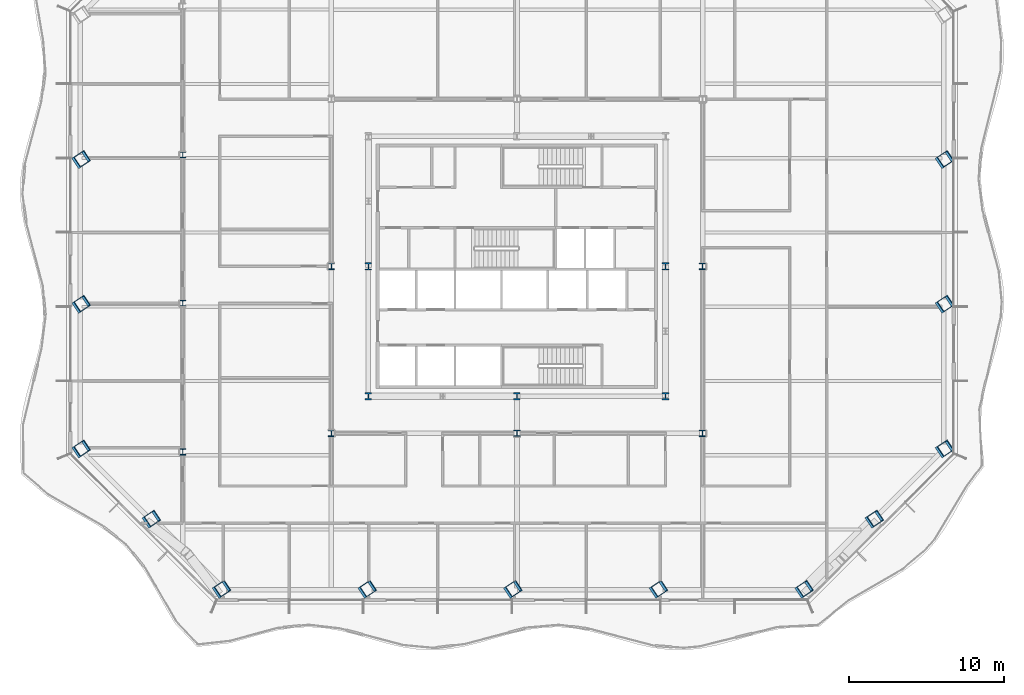
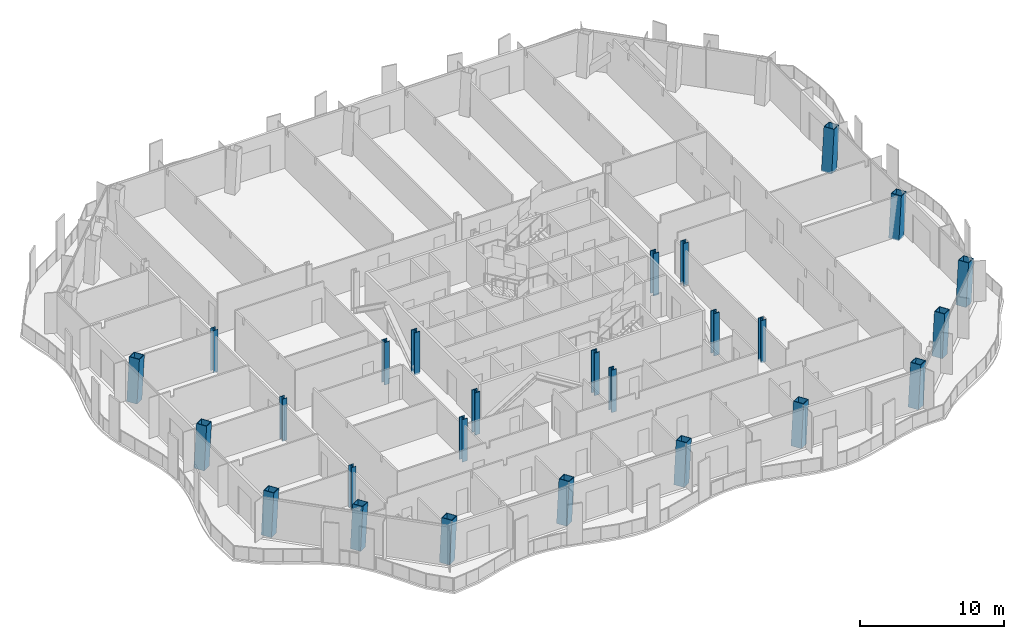
# One storey, part 1 of 22: 26 columns.
"""IFC4 building model written with IfcOpenShell, lengths in metres."""

from ifc_helpers import new_model, si_unit, direction, frame, origin, origin_2d, place, context, subcontext, project, spatial, hollow_rectangle, i_section, extrude, clip, halfspace, material, material_profile, profile_set, type_object, element, save


model = new_model("IFC4")

# Units and contexts
model_context = context("Model", 3, precision=1e-05, world=origin(), true_north=direction((0.0, 1.0)))
body_context = subcontext(model_context, "Body", "Model", "MODEL_VIEW")
ifc_project = project(units=[si_unit("LENGTHUNIT", "METRE"), si_unit("AREAUNIT", "SQUARE_METRE"), si_unit("VOLUMEUNIT", "CUBIC_METRE"), si_unit("PLANEANGLEUNIT", "RADIAN"), si_unit("MASSUNIT", "GRAM", prefix="KILO")], contexts=[model_context])

# Site, building, storey
site_placement = place(None, origin())
site = spatial("IfcSite", under=ifc_project, at=site_placement, CompositionType="ELEMENT")
building_placement = place(site_placement, origin())
building = spatial("IfcBuilding", under=site, at=building_placement, Name="Cairn Pilgrim Tower", CompositionType="ELEMENT")
storey_placement = place(building_placement, frame((0.0, 0.0, 112.199951171875)))
storey = spatial("IfcBuildingStorey", under=building, at=storey_placement, Name="L27", CompositionType="ELEMENT", Elevation=112.199951171875)

# Columns
ifc_material_1 = material(Name="Structural steel S460M", Category="steel")
ifc_material_profile_1 = material_profile(ifc_material_1, hollow_rectangle(XDim=0.800048828125, YDim=0.800048828125, WallThickness=0.050048828125, at=origin_2d()), Name="BOX 800x800x50")
ifc_profile_set_1 = profile_set([ifc_material_profile_1], Name="Structural steel S460M")
column_type_1 = type_object("IfcColumnType", Name="BOX 800x800x50", PredefinedType="COLUMN", material=ifc_profile_set_1)
for number, where, z_axis, x_axis, name in (
    (1, (-11.94775390625, -18.513671875, -0.14990234375), (0.088541637636, 0.059005280222, 0.994323264995), (-0.554553931674, 0.832147785472, 0.0), "PC1-S1"),
    (2, (-2.5341796875, -18.513671875, -0.14990234375), (0.088541637636, 0.059005280222, 0.994323264995), (-0.554553931674, 0.832147785472, 0.0), "PC1-S2"),
    (3, (6.87939453125, -18.513671875, -0.14990234375), (0.088541637636, 0.059005280222, 0.994323264995), (-0.554553931674, 0.832147785472, 0.0), "PC1-S3"),
    (4, (16.293212890625, -18.513671875, -0.14990234375), (0.088474731092, 0.059005632398, 0.994329199663), (-0.554846520795, 0.831952726038, 0.0), "PC1-S4"),
    (5, (25.706787109375, -18.513671875, -0.14990234375), (0.088474731092, 0.059005632398, 0.994329199663), (-0.554846520795, 0.831952726038, 0.0), "PC1-SE1"),
    (6, (30.2431640625, -13.977294921875, -0.14990234375), (0.088541637636, 0.059005280222, 0.994323264995), (-0.554553931674, 0.832147785472, 0.0), "PC1-SE2"),
    (7, (34.779541015625, -9.44091796875, -0.14990234375), (0.088541637636, 0.059005280222, 0.994323264995), (-0.554553931674, 0.832147785472, 0.0), "PC1-E1"),
    (8, (34.779541015625, -0.08935546875, -0.14990234375), (0.088541637636, 0.059005280222, 0.994323264995), (-0.554553931674, 0.832147785472, 0.0), "PC1-E2"),
    (9, (34.779541015625, 9.26220703125, -0.14990234375), (0.088541989743, 0.058938079997, 0.994327219168), (-0.554114829484, 0.832440241547, 0.0), "PC1-E3"),
    (10, (-21.0205078125, 9.26220703125, -0.14990234375), (0.088541989743, 0.058938079997, 0.994327219168), (-0.554114829484, 0.832440241547, 0.0), "PC1-W2"),
    (11, (-21.0205078125, -0.08935546875, -0.14990234375), (0.088541637636, 0.059005280222, 0.994323264995), (-0.554553931674, 0.832147785472, 0.0), "PC1-W3"),
    (12, (-21.0205078125, -9.44091796875, -0.14990234375), (0.088541637636, 0.059005280222, 0.994323264995), (-0.554553931674, 0.832147785472, 0.0), "PC1-SW1"),
    (13, (-16.484130859375, -13.977294921875, -0.14990234375), (0.088541637636, 0.059005280222, 0.994323264995), (-0.554553931674, 0.832147785472, 0.0), "PC1-SW2"),
):
    element("IfcColumn", number, at=place(storey_placement, frame(where, z_axis=z_axis, x_axis=x_axis)), inside=storey, type_object=column_type_1, Name=name, PredefinedType="COLUMN", context=body_context, shape_type="Clipping", body=[
        clip(clip(extrude(hollow_rectangle(XDim=0.800048828125, YDim=0.800048828125, WallThickness=0.050048828125, at=origin_2d()), origin(), (0.0, 0.0, 1.0), 3.620361328125), halfspace(frame((0.0, 0.0, 0.023681640625), z_axis=(0.0, 0.0, 1.0), x_axis=(1.0, 0.0, 0.0)), True)), halfspace(frame((0.0, 0.0, 3.59912109375), z_axis=(0.0, 0.0, 1.0), x_axis=(1.0, 0.0, 0.0)), False)),
    ])
ifc_material_2 = material(Name="Structural steel S355J2", Category="steel")
ifc_material_profile_2 = material_profile(ifc_material_2, i_section(OverallWidth=0.39892578125, OverallDepth=0.39306640625, WebThickness=0.022705078125, FlangeThickness=0.03662109375, FilletRadius=0.014892578125, at=origin_2d()), Name="HD 400x287")
ifc_profile_set_2 = profile_set([ifc_material_profile_2], Name="Structural steel S355J2")
column_type_2 = type_object("IfcColumnType", Name="HD 400x287", PredefinedType="COLUMN", material=ifc_profile_set_2)
for number, where, z_axis, x_axis, name in (
    (14, (-14.39990234375, -9.60009765625, -0.14990234375), (0.0, 0.0, 1.0), (1.0, 0.0, 0.0), "WC-WW-2"),
    (15, (-14.39990234375, 0.0, -0.14990234375), (0.0, 0.0, 1.0), (1.0, 0.0, 0.0), "WC-WW+0"),
    (16, (-14.39990234375, 9.60009765625, -0.14990234375), (0.0, 0.0, 1.0), (1.0, 0.0, 0.0), "WC-WW+2"),
):
    element("IfcColumn", number, at=place(storey_placement, frame(where, z_axis=z_axis, x_axis=x_axis)), inside=storey, type_object=column_type_2, Name=name, PredefinedType="COLUMN", context=body_context, shape_type="SweptSolid", body=[
        extrude(i_section(OverallWidth=0.39892578125, OverallDepth=0.39306640625, WebThickness=0.022705078125, FlangeThickness=0.03662109375, FilletRadius=0.014892578125, at=origin_2d()), origin(), (0.0, 0.0, 1.0), 3.599853515625),
    ])
ifc_material_profile_3 = material_profile(ifc_material_1, i_section(OverallWidth=0.408935546875, OverallDepth=0.425048828125, WebThickness=0.03271484375, FlangeThickness=0.052490234375, FilletRadius=0.014892578125, at=origin_2d()), Name="HD 400x421")
ifc_profile_set_3 = profile_set([ifc_material_profile_3], Name="Structural steel S460M")
column_type_3 = type_object("IfcColumnType", Name="HD 400x421", PredefinedType="COLUMN", material=ifc_profile_set_3)
for number, where, z_axis, x_axis, name in (
    (17, (-4.800048828125, -8.39990234375, -0.14990234375), (0.0, 0.0, 1.0), (1.0, 0.0, 0.0), "IC-1"),
    (18, (7.199951171875, -8.39990234375, -0.14990234375), (0.0, 0.0, 1.0), (1.0, 0.0, 0.0), "IC-2"),
    (19, (19.199951171875, -8.39990234375, -0.14990234375), (0.0, 0.0, 1.0), (1.0, 0.0, 0.0), "IC-3"),
    (20, (-4.800048828125, 2.39990234375, -0.14990234375), (0.0, 0.0, 1.0), (1.0, 0.0, 0.0), "IC-4"),
    (21, (19.199951171875, 2.39990234375, -0.14990234375), (0.0, 0.0, 1.0), (1.0, 0.0, 0.0), "IC-5"),
):
    element("IfcColumn", number, at=place(storey_placement, frame(where, z_axis=z_axis, x_axis=x_axis)), inside=storey, type_object=column_type_3, Name=name, PredefinedType="COLUMN", context=body_context, shape_type="SweptSolid", body=[
        extrude(i_section(OverallWidth=0.408935546875, OverallDepth=0.425048828125, WebThickness=0.03271484375, FlangeThickness=0.052490234375, FilletRadius=0.014892578125, at=origin_2d()), origin(), (0.0, 0.0, 1.0), 3.599853515625),
    ])
ifc_material_profile_4 = material_profile(ifc_material_1, i_section(OverallWidth=0.424072265625, OverallDepth=0.47412109375, WebThickness=0.047607421875, FlangeThickness=0.0771484375, FilletRadius=0.014892578125, at=origin_2d()), Name="HD 400x634")
ifc_profile_set_4 = profile_set([ifc_material_profile_4], Name="Structural steel S460M")
column_type_4 = type_object("IfcColumnType", Name="HD 400x634", PredefinedType="COLUMN", material=ifc_profile_set_4)
for number, where, z_axis, x_axis, name in (
    (22, (-2.39990234375, -6.0, -0.14990234375), (0.0, 0.0, 1.0), (1.0, 0.0, 0.0), "KC-1"),
    (23, (7.199951171875, -6.0, -0.14990234375), (0.0, 0.0, 1.0), (1.0, 0.0, 0.0), "KC-2"),
    (24, (16.800048828125, -6.0, -0.14990234375), (0.0, 0.0, 1.0), (1.0, 0.0, 0.0), "KC-3"),
    (25, (-2.39990234375, 2.39990234375, -0.14990234375), (0.0, 0.0, 1.0), (1.0, 0.0, 0.0), "KC-4"),
    (26, (16.800048828125, 2.39990234375, -0.14990234375), (0.0, 0.0, 1.0), (1.0, 0.0, 0.0), "KC-5"),
):
    element("IfcColumn", number, at=place(storey_placement, frame(where, z_axis=z_axis, x_axis=x_axis)), inside=storey, type_object=column_type_4, Name=name, PredefinedType="COLUMN", context=body_context, shape_type="SweptSolid", body=[
        extrude(i_section(OverallWidth=0.424072265625, OverallDepth=0.47412109375, WebThickness=0.047607421875, FlangeThickness=0.0771484375, FilletRadius=0.014892578125, at=origin_2d()), origin(), (0.0, 0.0, 1.0), 3.599853515625),
    ])

save(model, "model.ifc")
